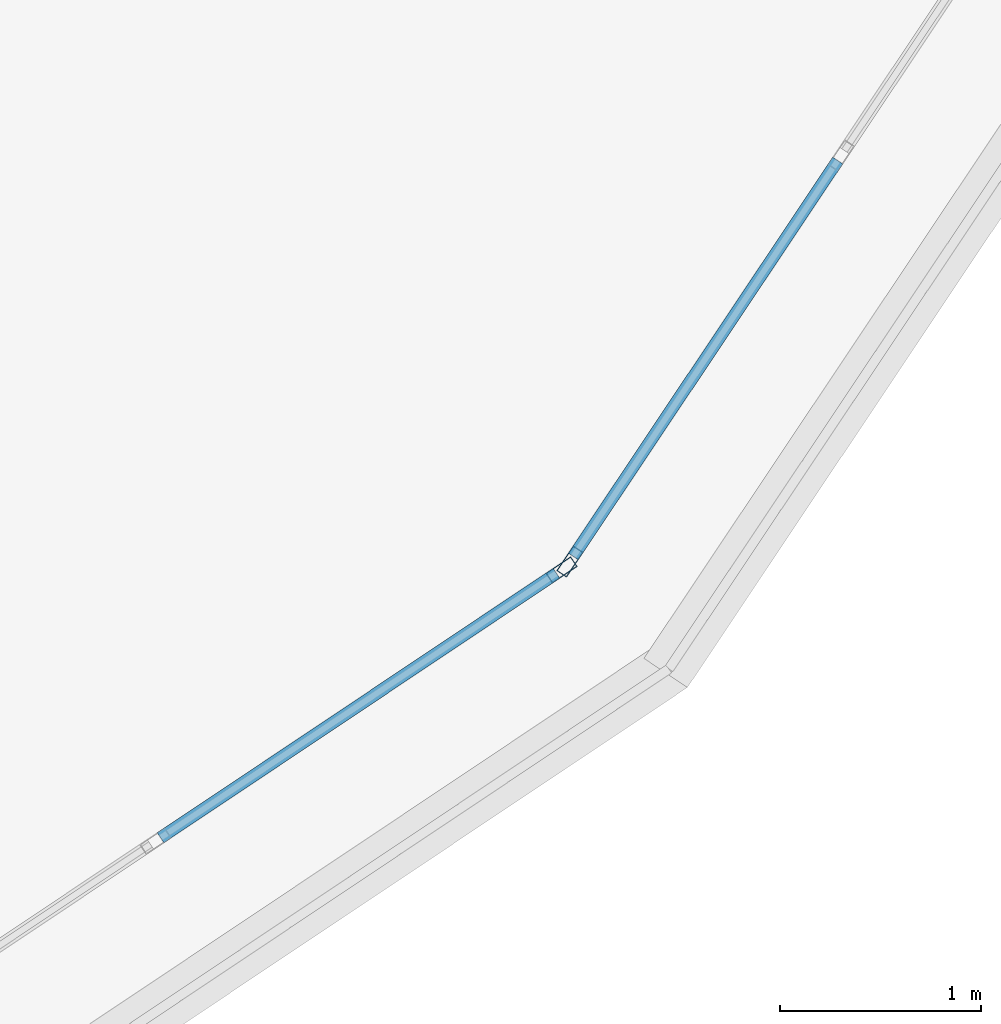
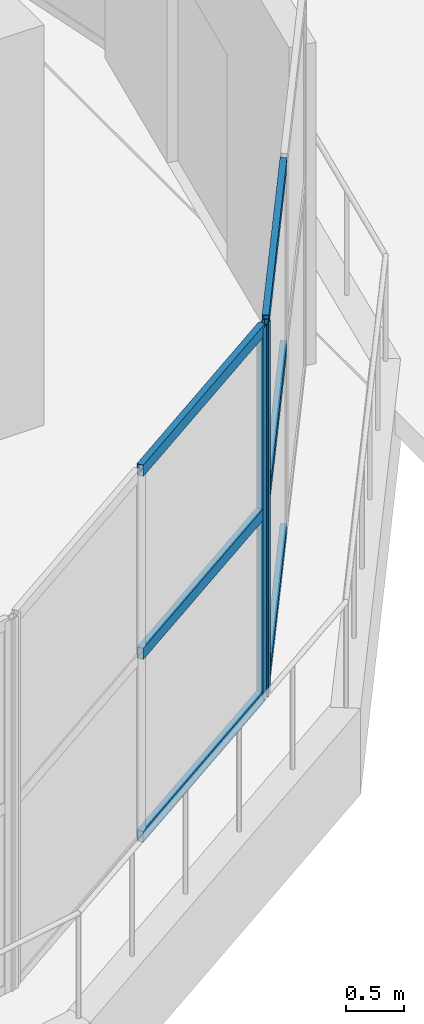
# One storey, part 15 of 33: 8 members, 2 elements without a shape of their own.
"""IFC4 building model written with IfcOpenShell, lengths in metres."""

from ifc_helpers import new_model, si_unit, direction, frame, origin, origin_2d, place, context, subcontext, project, spatial, hollow_rectangle, extrude, material, layer, layer_set, material_profile, profile_set, type_object, element, aggregate, save


model = new_model("IFC4")

# Units and contexts
model_context = context("Model", 3, precision=1e-05, world=origin(), true_north=direction((0.0, 1.0)))
body_context = subcontext(model_context, "Body", "Model", "MODEL_VIEW")
ifc_project = project(units=[si_unit("LENGTHUNIT", "METRE"), si_unit("AREAUNIT", "SQUARE_METRE"), si_unit("VOLUMEUNIT", "CUBIC_METRE"), si_unit("PLANEANGLEUNIT", "RADIAN"), si_unit("MASSUNIT", "GRAM", prefix="KILO")], contexts=[model_context])

# Site, building, storey
site_placement = place(None, origin())
site = spatial("IfcSite", under=ifc_project, at=site_placement, CompositionType="ELEMENT")
building_placement = place(site_placement, origin())
building = spatial("IfcBuilding", under=site, at=building_placement, Name="Zizhar Promenade General Hospital", CompositionType="ELEMENT")
storey_placement = place(building_placement, frame((0.0, 0.0, 39.0)))
storey = spatial("IfcBuildingStorey", under=building, at=storey_placement, Name="L09", CompositionType="ELEMENT", Elevation=39.0)

# Curtain wall, member
ifc_material_1 = material(Name="Anodised aluminium 6063-T6 and low-E glass", Category="aluminium")
ifc_layer = layer(ifc_material_1, 0.159912109375)
ifc_layer_set = layer_set([ifc_layer], Name="Anodised aluminium 6063-T6 and low-E glass")
curtain_wall_type = type_object("IfcCurtainWallType", Name="CW-WARD-ARC", PredefinedType="NOTDEFINED", material=ifc_layer_set)
curtain_wall_1_placement = place(storey_placement, origin())
curtain_wall_1 = element("IfcCurtainWall", 1, at=curtain_wall_1_placement, inside=storey, type_object=curtain_wall_type, Name="Ward Semicircular End Glazing L09-02", PredefinedType="NOTDEFINED")
ifc_material_2 = material(Name="Anodised aluminium 6063-T6", Category="aluminium")
ifc_material_profile_1 = material_profile(ifc_material_2, hollow_rectangle(XDim=0.06005859375, YDim=0.14990234375, WallThickness=0.00390625, at=origin_2d()))
ifc_profile_set_1 = profile_set([ifc_material_profile_1], Name="Anodised aluminium 6063-T6")
member_type_1 = type_object("IfcMemberType", Name="CWM-ALU-150x60", PredefinedType="MULLION", material=ifc_profile_set_1)
member_1_placement = place(storey_placement, frame((101.28466796875, 3.673828125, 0.0), z_axis=(0.0, 0.0, 1.0), x_axis=(0.555582352095, -0.831461514468, 0.0)))
member_1 = element("IfcMember", 2, at=member_1_placement, type_object=member_type_1, Name="CW-12 mullion 1", PredefinedType="MULLION", context=body_context, shape_type="SweptSolid", body=[
    extrude(hollow_rectangle(XDim=0.06005859375, YDim=0.14990234375, WallThickness=0.00390625, at=origin_2d()), origin(), (0.0, 0.0, 1.0), 3.89990234375),
])

curtain_wall_2_placement = place(storey_placement, origin())
curtain_wall_2 = element("IfcCurtainWall", 3, at=curtain_wall_2_placement, inside=storey, type_object=curtain_wall_type, Name="Ward Semicircular End Glazing L09-03", PredefinedType="NOTDEFINED")
member_2_placement = place(storey_placement, frame((101.326171875, 3.71533203125, 0.0), z_axis=(0.0, 0.0, 1.0), x_axis=(0.831461514468, -0.555582352095, 0.0)))
member_2 = element("IfcMember", 4, at=member_2_placement, type_object=member_type_1, Name="CW-12 mullion 3", PredefinedType="MULLION", context=body_context, shape_type="SweptSolid", body=[
    extrude(hollow_rectangle(XDim=0.06005859375, YDim=0.14990234375, WallThickness=0.00390625, at=origin_2d()), origin(), (0.0, 0.0, 1.0), 3.89990234375),
])

# Member
ifc_material_3 = material(Name="Anodised aluminium 6063-T6", Category="aluminium")
ifc_material_profile_2 = material_profile(ifc_material_3, hollow_rectangle(XDim=0.06005859375, YDim=0.1201171875, WallThickness=0.00390625, at=origin_2d()))
ifc_profile_set_2 = profile_set([ifc_material_profile_2], Name="Anodised aluminium 6063-T6")
member_type_2 = type_object("IfcMemberType", Name="CWT-ALU-120x60", PredefinedType="USERDEFINED", material=ifc_profile_set_2)
member_3_placement = place(storey_placement, frame((101.259521484375, 3.6572265625, 0.030029296875), z_axis=(-0.831462978956, -0.555580160396, 0.0), x_axis=(0.555580160396, -0.831462978956, 0.0)))
member_3 = element("IfcMember", 5, at=member_3_placement, type_object=member_type_2, Name="CW-12 transom 1.1", ObjectType="TRANSOM", PredefinedType="USERDEFINED", context=body_context, shape_type="SweptSolid", body=[
    extrude(hollow_rectangle(XDim=0.06005859375, YDim=0.1201171875, WallThickness=0.00390625, at=origin_2d()), origin(), (0.0, 0.0, 1.0), 2.3681640625),
])

member_4_placement = place(storey_placement, frame((101.259521484375, 3.6572265625, 1.949951171875), z_axis=(-0.831462978956, -0.555580160396, 0.0), x_axis=(0.555580160396, -0.831462978956, 0.0)))
member_4 = element("IfcMember", 6, at=member_4_placement, type_object=member_type_2, Name="CW-12 transom 1.2", ObjectType="TRANSOM", PredefinedType="USERDEFINED", context=body_context, shape_type="SweptSolid", body=[
    extrude(hollow_rectangle(XDim=0.06005859375, YDim=0.1201171875, WallThickness=0.00390625, at=origin_2d()), origin(), (0.0, 0.0, 1.0), 2.3681640625),
])

member_5_placement = place(storey_placement, frame((101.259521484375, 3.6572265625, 3.8701171875), z_axis=(-0.831462978956, -0.555580160396, 0.0), x_axis=(0.555580160396, -0.831462978956, 0.0)))
member_5 = element("IfcMember", 7, at=member_5_placement, type_object=member_type_2, Name="CW-12 transom 1.3", ObjectType="TRANSOM", PredefinedType="USERDEFINED", context=body_context, shape_type="SweptSolid", body=[
    extrude(hollow_rectangle(XDim=0.06005859375, YDim=0.1201171875, WallThickness=0.00390625, at=origin_2d()), origin(), (0.0, 0.0, 1.0), 2.3681640625),
])

aggregate(curtain_wall_1, [member_1, member_3, member_4, member_5])

member_6_placement = place(storey_placement, frame((102.658447265625, 5.70947265625, 0.030029296875), z_axis=(-0.555580160396, -0.831462978956, 0.0), x_axis=(0.831462978956, -0.555580160396, 0.0)))
member_6 = element("IfcMember", 8, at=member_6_placement, type_object=member_type_2, Name="CW-12 transom 2.1", ObjectType="TRANSOM", PredefinedType="USERDEFINED", context=body_context, shape_type="SweptSolid", body=[
    extrude(hollow_rectangle(XDim=0.06005859375, YDim=0.1201171875, WallThickness=0.00390625, at=origin_2d()), origin(), (0.0, 0.0, 1.0), 2.3681640625),
])

member_7_placement = place(storey_placement, frame((102.658447265625, 5.70947265625, 1.949951171875), z_axis=(-0.555580160396, -0.831462978956, 0.0), x_axis=(0.831462978956, -0.555580160396, 0.0)))
member_7 = element("IfcMember", 9, at=member_7_placement, type_object=member_type_2, Name="CW-12 transom 2.2", ObjectType="TRANSOM", PredefinedType="USERDEFINED", context=body_context, shape_type="SweptSolid", body=[
    extrude(hollow_rectangle(XDim=0.06005859375, YDim=0.1201171875, WallThickness=0.00390625, at=origin_2d()), origin(), (0.0, 0.0, 1.0), 2.3681640625),
])

member_8_placement = place(storey_placement, frame((102.658447265625, 5.70947265625, 3.8701171875), z_axis=(-0.555580160396, -0.831462978956, 0.0), x_axis=(0.831462978956, -0.555580160396, 0.0)))
member_8 = element("IfcMember", 10, at=member_8_placement, type_object=member_type_2, Name="CW-12 transom 2.3", ObjectType="TRANSOM", PredefinedType="USERDEFINED", context=body_context, shape_type="SweptSolid", body=[
    extrude(hollow_rectangle(XDim=0.06005859375, YDim=0.1201171875, WallThickness=0.00390625, at=origin_2d()), origin(), (0.0, 0.0, 1.0), 2.3681640625),
])

aggregate(curtain_wall_2, [member_2, member_6, member_7, member_8])

save(model, "model.ifc")
